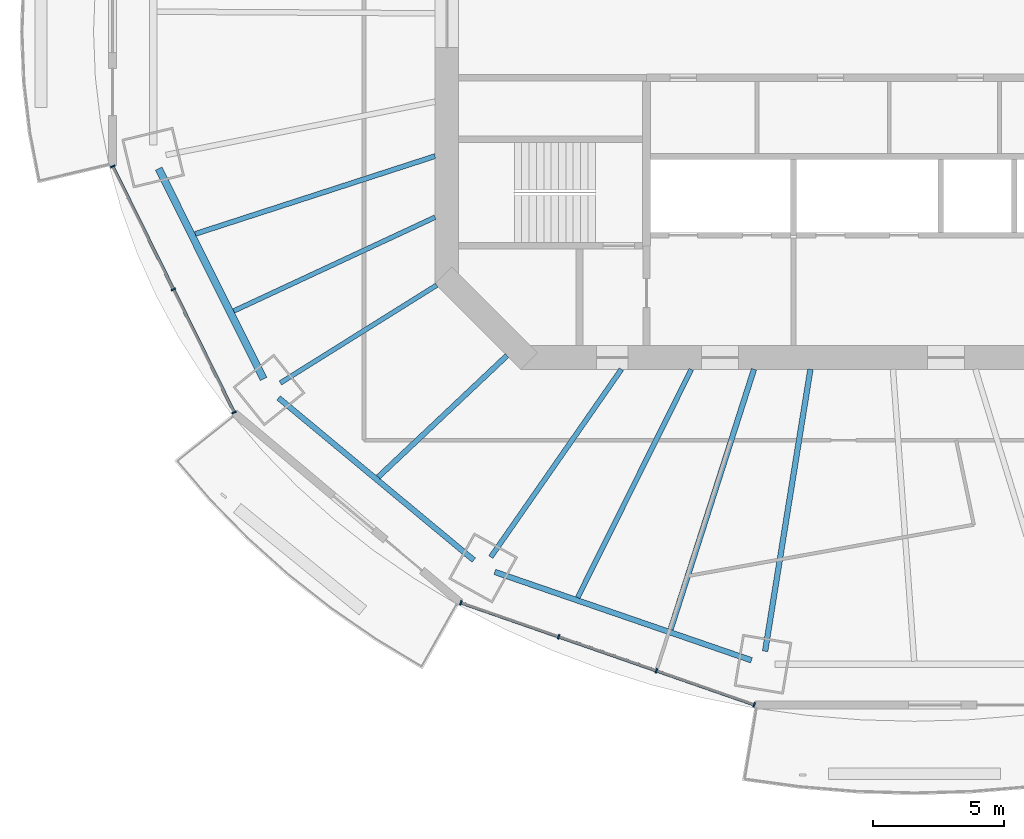
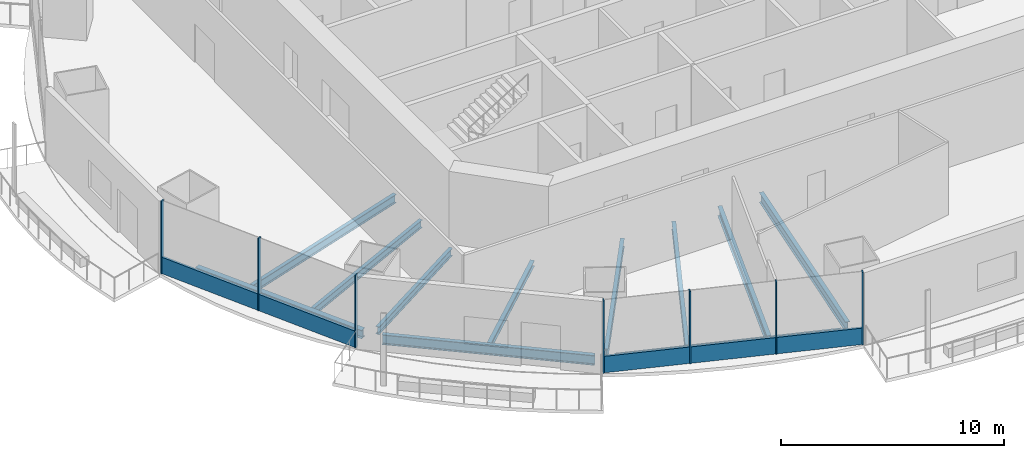
# One storey, part 2 of 20: 11 beams, 9 members, 2 elements without a shape of their own.
"""IFC4 building model written with IfcOpenShell, lengths in metres."""

from ifc_helpers import new_model, si_unit, direction, frame, origin, origin_2d, place, context, subcontext, project, spatial, rectangle, i_section, extrude, material, material_profile, profile_set, type_object, element, aggregate, save


model = new_model("IFC4")

# Units and contexts
model_context = context("Model", 3, precision=1e-05, world=origin(), true_north=direction((0.0, 1.0)))
body_context = subcontext(model_context, "Body", "Model", "MODEL_VIEW")
ifc_project = project(units=[si_unit("LENGTHUNIT", "METRE"), si_unit("AREAUNIT", "SQUARE_METRE"), si_unit("VOLUMEUNIT", "CUBIC_METRE"), si_unit("PLANEANGLEUNIT", "RADIAN"), si_unit("MASSUNIT", "GRAM", prefix="KILO")], contexts=[model_context])

# Site, building, storey
site_placement = place(None, origin())
site = spatial("IfcSite", under=ifc_project, at=site_placement, CompositionType="ELEMENT")
building_placement = place(site_placement, origin())
building = spatial("IfcBuilding", under=site, at=building_placement, Name="Marenthal Gate Tower", CompositionType="ELEMENT")
storey_placement = place(building_placement, frame((0.0, 0.0, 210.85009765625)))
storey = spatial("IfcBuildingStorey", under=building, at=storey_placement, Name="L46", CompositionType="ELEMENT", Elevation=210.85009765625)

# Curtain wall, members
ifc_material_1 = material(Name="Aluminium and glass", Category="aluminium")
curtain_wall_type = type_object("IfcCurtainWallType", Name="Curtain wall typical mid", PredefinedType="NOTDEFINED", material=ifc_material_1)
curtain_wall_1_placement = place(storey_placement, origin())
curtain_wall_1 = element("IfcCurtainWall", 1, at=curtain_wall_1_placement, inside=storey, type_object=curtain_wall_type, Name="Curtain wall L46 bay 9", PredefinedType="NOTDEFINED")
ifc_material_2 = material(Name="Aluminium", Category="aluminium")
ifc_material_profile_1 = material_profile(ifc_material_2, rectangle(XDim=0.179931640625, YDim=0.06005859375, at=origin_2d()), Name="60x180 aluminium mullion")
ifc_profile_set_1 = profile_set([ifc_material_profile_1], Name="Aluminium")
member_type_1 = type_object("IfcMemberType", Name="Mullion 60x180 typical mid", PredefinedType="MULLION", material=ifc_profile_set_1)
member_1_placement = place(storey_placement, frame((-28.718505859375, -5.724609375, 0.0), z_axis=(0.0, 0.0, 1.0), x_axis=(0.896756924648, 0.442523466153, 0.0)))
member_1 = element("IfcMember", 2, at=member_1_placement, type_object=member_type_1, Name="Mullion L46 bay 9.1", PredefinedType="MULLION", context=body_context, shape_type="SweptSolid", body=[
    extrude(rectangle(XDim=0.179931640625, YDim=0.06005859375, at=origin_2d()), origin(), (0.0, 0.0, 1.0), 3.969970703125),
])
member_2_placement = place(storey_placement, frame((-26.40771484375, -10.407470703125, 0.0), z_axis=(0.0, 0.0, 1.0), x_axis=(0.896756924648, 0.442523466153, 0.0)))
member_2 = element("IfcMember", 3, at=member_2_placement, type_object=member_type_1, Name="Mullion L46 bay 9.2", PredefinedType="MULLION", context=body_context, shape_type="SweptSolid", body=[
    extrude(rectangle(XDim=0.179931640625, YDim=0.06005859375, at=origin_2d()), origin(), (0.0, 0.0, 1.0), 3.969970703125),
])
member_3_placement = place(storey_placement, frame((-24.096923828125, -15.090087890625, 0.0), z_axis=(0.0, 0.0, 1.0), x_axis=(0.896756924648, 0.442523466153, 0.0)))
member_3 = element("IfcMember", 4, at=member_3_placement, type_object=member_type_1, Name="Mullion L46 bay 9.3", PredefinedType="MULLION", context=body_context, shape_type="SweptSolid", body=[
    extrude(rectangle(XDim=0.179931640625, YDim=0.06005859375, at=origin_2d()), origin(), (0.0, 0.0, 1.0), 3.969970703125),
])

curtain_wall_2_placement = place(storey_placement, origin())
curtain_wall_2 = element("IfcCurtainWall", 5, at=curtain_wall_2_placement, inside=storey, type_object=curtain_wall_type, Name="Curtain wall L46 bay 11", PredefinedType="NOTDEFINED")
member_4_placement = place(storey_placement, frame((-15.466552734375, -22.336181640625, 0.0), z_axis=(0.0, 0.0, 1.0), x_axis=(0.328400483847, 0.944538576348, 0.0)))
member_4 = element("IfcMember", 6, at=member_4_placement, type_object=member_type_1, Name="Mullion L46 bay 11.1", PredefinedType="MULLION", context=body_context, shape_type="SweptSolid", body=[
    extrude(rectangle(XDim=0.179931640625, YDim=0.06005859375, at=origin_2d()), origin(), (0.0, 0.0, 1.0), 3.969970703125),
])
member_5_placement = place(storey_placement, frame((-11.744873046875, -23.630126953125, 0.0), z_axis=(0.0, 0.0, 1.0), x_axis=(0.328400483847, 0.944538576348, 0.0)))
member_5 = element("IfcMember", 7, at=member_5_placement, type_object=member_type_1, Name="Mullion L46 bay 11.2", PredefinedType="MULLION", context=body_context, shape_type="SweptSolid", body=[
    extrude(rectangle(XDim=0.179931640625, YDim=0.06005859375, at=origin_2d()), origin(), (0.0, 0.0, 1.0), 3.969970703125),
])
member_6_placement = place(storey_placement, frame((-8.023193359375, -24.924072265625, 0.0), z_axis=(0.0, 0.0, 1.0), x_axis=(0.328400483847, 0.944538576348, 0.0)))
member_6 = element("IfcMember", 8, at=member_6_placement, type_object=member_type_1, Name="Mullion L46 bay 11.3", PredefinedType="MULLION", context=body_context, shape_type="SweptSolid", body=[
    extrude(rectangle(XDim=0.179931640625, YDim=0.06005859375, at=origin_2d()), origin(), (0.0, 0.0, 1.0), 3.969970703125),
])
member_7_placement = place(storey_placement, frame((-4.301513671875, -26.218017578125, 0.0), z_axis=(0.0, 0.0, 1.0), x_axis=(0.328400483847, 0.944538576348, 0.0)))
member_7 = element("IfcMember", 9, at=member_7_placement, type_object=member_type_1, Name="Mullion L46 bay 11.4", PredefinedType="MULLION", context=body_context, shape_type="SweptSolid", body=[
    extrude(rectangle(XDim=0.179931640625, YDim=0.06005859375, at=origin_2d()), origin(), (0.0, 0.0, 1.0), 3.969970703125),
])

# Member
ifc_material_3 = material(Name="Aluminium", Category="aluminium")
ifc_material_profile_2 = material_profile(ifc_material_3, rectangle(XDim=0.1201171875, YDim=0.89990234375, at=origin_2d()), Name="120x900 aluminium transom")
ifc_profile_set_2 = profile_set([ifc_material_profile_2], Name="Aluminium")
member_type_2 = type_object("IfcMemberType", Name="Transom 120x900 typical mid", PredefinedType="USERDEFINED", material=ifc_profile_set_2)
member_8_placement = place(storey_placement, frame((-28.705322265625, -5.75146484375, 0.449951171875), z_axis=(0.442533403339, -0.896752020867, 0.0), x_axis=(0.896752020867, 0.442533403339, 0.0)))
member_8 = element("IfcMember", 10, at=member_8_placement, type_object=member_type_2, Name="Transom L46 bay 9", ObjectType="TRANSOM", PredefinedType="USERDEFINED", context=body_context, shape_type="SweptSolid", body=[
    extrude(rectangle(XDim=0.1201171875, YDim=0.89990234375, at=origin_2d()), origin(), (0.0, 0.0, 1.0), 10.3837890625),
])

aggregate(curtain_wall_1, [member_1, member_2, member_3, member_8])

member_9_placement = place(storey_placement, frame((-15.438232421875, -22.345947265625, 0.449951171875), z_axis=(0.944535997597, -0.328407900703, 0.0), x_axis=(0.328407900703, 0.944535997597, 0.0)))
member_9 = element("IfcMember", 11, at=member_9_placement, type_object=member_type_2, Name="Transom L46 bay 11", ObjectType="TRANSOM", PredefinedType="USERDEFINED", context=body_context, shape_type="SweptSolid", body=[
    extrude(rectangle(XDim=0.1201171875, YDim=0.89990234375, at=origin_2d()), origin(), (0.0, 0.0, 1.0), 11.7607421875),
])

aggregate(curtain_wall_2, [member_4, member_5, member_6, member_7, member_9])

# Beams
ifc_material_4 = material(Name="Steel S355", Category="steel")
ifc_material_profile_3 = material_profile(ifc_material_4, i_section(OverallWidth=0.205078125, OverallDepth=0.31005859375, WebThickness=0.009521484375, FlangeThickness=0.016357421875, FilletRadius=0.0126953125, at=origin_2d()), Name="W310X74")
ifc_profile_set_3 = profile_set([ifc_material_profile_3], Name="Steel S355")
beam_type_1 = type_object("IfcBeamType", Name="W310X74 beam", PredefinedType="BEAM", material=ifc_profile_set_3)
beam_1_placement = place(storey_placement, frame((-18.61572265625, -17.552734375, -0.335205078125), z_axis=(0.727566170505, 0.686037511756, 0.0), x_axis=(-0.686037511756, 0.727566170505, 0.0)))
element("IfcBeam", 12, at=beam_1_placement, inside=storey, type_object=beam_type_1, Name="BM-L46-31", PredefinedType="BEAM", context=body_context, shape_type="SweptSolid", body=[
    extrude(i_section(OverallWidth=0.205078125, OverallDepth=0.31005859375, WebThickness=0.009521484375, FlangeThickness=0.016357421875, FilletRadius=0.0126953125, at=origin_2d()), origin(), (0.0, 0.0, 1.0), 6.742919921875),
])
ifc_material_5 = material(Name="Steel S355", Category="steel")
ifc_material_profile_4 = material_profile(ifc_material_5, i_section(OverallWidth=0.180908203125, OverallDepth=0.4169921875, WebThickness=0.010986328125, FlangeThickness=0.018310546875, FilletRadius=0.01025390625, at=origin_2d()), Name="W410X85")
ifc_profile_set_4 = profile_set([ifc_material_profile_4], Name="Steel S355")
beam_type_2 = type_object("IfcBeamType", Name="W410X85 beam", PredefinedType="BEAM", material=ifc_profile_set_4)
beam_2_placement = place(storey_placement, frame((-22.33984375, -13.97021484375, -0.388671875), z_axis=(0.847861501348, 0.530217761426, 0.0), x_axis=(-0.530217761426, 0.847861501348, 0.0)))
element("IfcBeam", 13, at=beam_2_placement, inside=storey, type_object=beam_type_2, Name="BM-L46-10", PredefinedType="BEAM", context=body_context, shape_type="SweptSolid", body=[
    extrude(i_section(OverallWidth=0.180908203125, OverallDepth=0.4169921875, WebThickness=0.010986328125, FlangeThickness=0.018310546875, FilletRadius=0.01025390625, at=origin_2d()), origin(), (0.0, 0.0, 1.0), 7.01953125),
])
beam_3_placement = place(storey_placement, frame((-24.1142578125, -11.23046875, -0.388671875), z_axis=(0.906515570003, 0.422172383444, 0.0), x_axis=(-0.422172383444, 0.906515570003, 0.0)))
element("IfcBeam", 14, at=beam_3_placement, inside=storey, type_object=beam_type_2, Name="BM-L46-30", PredefinedType="BEAM", context=body_context, shape_type="SweptSolid", body=[
    extrude(i_section(OverallWidth=0.180908203125, OverallDepth=0.4169921875, WebThickness=0.010986328125, FlangeThickness=0.018310546875, FilletRadius=0.01025390625, at=origin_2d()), origin(), (0.0, 0.0, 1.0), 8.45458984375),
])
ifc_material_6 = material(Name="Steel S355", Category="steel")
ifc_material_profile_5 = material_profile(ifc_material_6, i_section(OverallWidth=0.279052734375, OverallDepth=0.4619140625, WebThickness=0.0107421875, FlangeThickness=0.017333984375, FilletRadius=0.010009765625, at=origin_2d()), Name="W460X113")
ifc_profile_set_5 = profile_set([ifc_material_profile_5], Name="Steel S355")
beam_type_3 = type_object("IfcBeamType", Name="W460X113 beam", PredefinedType="BEAM", material=ifc_profile_set_5)
beam_4_placement = place(storey_placement, frame((-26.97021484375, -5.814697265625, -0.4111328125), z_axis=(0.44619754622, -0.894934494668, 0.0), x_axis=(0.894934494668, 0.44619754622, 0.0)))
element("IfcBeam", 15, at=beam_4_placement, inside=storey, type_object=beam_type_3, Name="BM-L46-49", PredefinedType="BEAM", context=body_context, shape_type="SweptSolid", body=[
    extrude(i_section(OverallWidth=0.279052734375, OverallDepth=0.4619140625, WebThickness=0.0107421875, FlangeThickness=0.017333984375, FilletRadius=0.010009765625, at=origin_2d()), origin(), (0.0, 0.0, 1.0), 8.941162109375),
])
ifc_material_7 = material(Name="Steel S355", Category="steel")
ifc_material_profile_6 = material_profile(ifc_material_7, i_section(OverallWidth=0.193115234375, OverallDepth=0.467041015625, WebThickness=0.011474609375, FlangeThickness=0.01904296875, FilletRadius=0.010009765625, at=origin_2d()), Name="W460X97")
ifc_profile_set_6 = profile_set([ifc_material_profile_6], Name="Steel S355")
beam_type_4 = type_object("IfcBeamType", Name="W460X97 beam", PredefinedType="BEAM", material=ifc_profile_set_6)
beam_5_placement = place(storey_placement, frame((-14.32861328125, -20.597900390625, -0.41357421875), z_axis=(0.571058737627, 0.820909202153, 0.0), x_axis=(-0.820909202153, 0.571058737627, 0.0)))
element("IfcBeam", 16, at=beam_5_placement, inside=storey, type_object=beam_type_4, Name="BM-L46-11", PredefinedType="BEAM", context=body_context, shape_type="SweptSolid", body=[
    extrude(i_section(OverallWidth=0.193115234375, OverallDepth=0.467041015625, WebThickness=0.011474609375, FlangeThickness=0.01904296875, FilletRadius=0.010009765625, at=origin_2d()), origin(), (0.0, 0.0, 1.0), 8.707275390625),
])
beam_6_placement = place(storey_placement, frame((-25.577392578125, -8.2958984375, -0.41357421875), z_axis=(0.951216764882, 0.308523364119, 0.0), x_axis=(-0.308523364119, 0.951216764882, 0.0)))
element("IfcBeam", 17, at=beam_6_placement, inside=storey, type_object=beam_type_4, Name="BM-L46-29", PredefinedType="BEAM", context=body_context, shape_type="SweptSolid", body=[
    extrude(i_section(OverallWidth=0.193115234375, OverallDepth=0.467041015625, WebThickness=0.011474609375, FlangeThickness=0.01904296875, FilletRadius=0.010009765625, at=origin_2d()), origin(), (0.0, 0.0, 1.0), 9.595458984375),
])
beam_7_placement = place(storey_placement, frame((-11.018798828125, -22.138916015625, -0.41357421875), z_axis=(0.445582855752, 0.895240704314, 0.0), x_axis=(-0.895240704314, 0.445582855752, 0.0)))
element("IfcBeam", 18, at=beam_7_placement, inside=storey, type_object=beam_type_4, Name="BM-L46-32", PredefinedType="BEAM", context=body_context, shape_type="SweptSolid", body=[
    extrude(i_section(OverallWidth=0.193115234375, OverallDepth=0.467041015625, WebThickness=0.011474609375, FlangeThickness=0.01904296875, FilletRadius=0.010009765625, at=origin_2d()), origin(), (0.0, 0.0, 1.0), 9.705810546875),
])
ifc_material_8 = material(Name="Steel S355", Category="steel")
ifc_material_profile_7 = material_profile(ifc_material_8, i_section(OverallWidth=0.2099609375, OverallDepth=0.535888671875, WebThickness=0.010986328125, FlangeThickness=0.017333984375, FilletRadius=0.0126953125, at=origin_2d()), Name="W530X101")
ifc_profile_set_7 = profile_set([ifc_material_profile_7], Name="Steel S355")
beam_type_5 = type_object("IfcBeamType", Name="W530X101 beam", PredefinedType="BEAM", material=ifc_profile_set_7)
beam_8_placement = place(storey_placement, frame((-7.4833984375, -23.35546875, -0.447998046875), z_axis=(0.305129993383, 0.952310709348, 0.0), x_axis=(-0.952310709348, 0.305129993383, 0.0)))
element("IfcBeam", 19, at=beam_8_placement, inside=storey, type_object=beam_type_5, Name="BM-L46-33", PredefinedType="BEAM", context=body_context, shape_type="SweptSolid", body=[
    extrude(i_section(OverallWidth=0.2099609375, OverallDepth=0.535888671875, WebThickness=0.010986328125, FlangeThickness=0.017333984375, FilletRadius=0.0126953125, at=origin_2d()), origin(), (0.0, 0.0, 1.0), 10.401611328125),
])
ifc_material_9 = material(Name="Steel S355", Category="steel")
ifc_material_profile_8 = material_profile(ifc_material_9, i_section(OverallWidth=0.2119140625, OverallDepth=0.5439453125, WebThickness=0.01318359375, FlangeThickness=0.021240234375, FilletRadius=0.0126953125, at=origin_2d()), Name="W530X123")
ifc_profile_set_8 = profile_set([ifc_material_profile_8], Name="Steel S355")
beam_type_6 = type_object("IfcBeamType", Name="W530X123 beam", PredefinedType="BEAM", material=ifc_profile_set_8)
beam_9_placement = place(storey_placement, frame((-3.885498046875, -24.184814453125, -0.4521484375), z_axis=(0.158621026168, 0.987339541423, 0.0), x_axis=(-0.987339541423, 0.158621026168, 0.0)))
element("IfcBeam", 20, at=beam_9_placement, inside=storey, type_object=beam_type_6, Name="BM-L46-12", PredefinedType="BEAM", context=body_context, shape_type="SweptSolid", body=[
    extrude(i_section(OverallWidth=0.2119140625, OverallDepth=0.5439453125, WebThickness=0.01318359375, FlangeThickness=0.021240234375, FilletRadius=0.0126953125, at=origin_2d()), origin(), (0.0, 0.0, 1.0), 10.87255859375),
])
beam_10_placement = place(storey_placement, frame((-22.408935546875, -14.539306640625, -0.4521484375), z_axis=(0.769187507268, -0.639023144074, 0.0), x_axis=(0.639023144074, 0.769187507268, 0.0)))
element("IfcBeam", 21, at=beam_10_placement, inside=storey, type_object=beam_type_6, Name="BM-L46-50", PredefinedType="BEAM", context=body_context, shape_type="SweptSolid", body=[
    extrude(i_section(OverallWidth=0.2119140625, OverallDepth=0.5439453125, WebThickness=0.01318359375, FlangeThickness=0.021240234375, FilletRadius=0.0126953125, at=origin_2d()), origin(), (0.0, 0.0, 1.0), 9.663330078125),
])
beam_11_placement = place(storey_placement, frame((-14.177490234375, -21.163818359375, -0.4521484375), z_axis=(0.945570591429, -0.325417050299, 0.0), x_axis=(0.325417050299, 0.945570591429, 0.0)))
element("IfcBeam", 22, at=beam_11_placement, inside=storey, type_object=beam_type_6, Name="BM-L46-51", PredefinedType="BEAM", context=body_context, shape_type="SweptSolid", body=[
    extrude(i_section(OverallWidth=0.2119140625, OverallDepth=0.5439453125, WebThickness=0.01318359375, FlangeThickness=0.021240234375, FilletRadius=0.0126953125, at=origin_2d()), origin(), (0.0, 0.0, 1.0), 10.3369140625),
])

save(model, "model.ifc")
